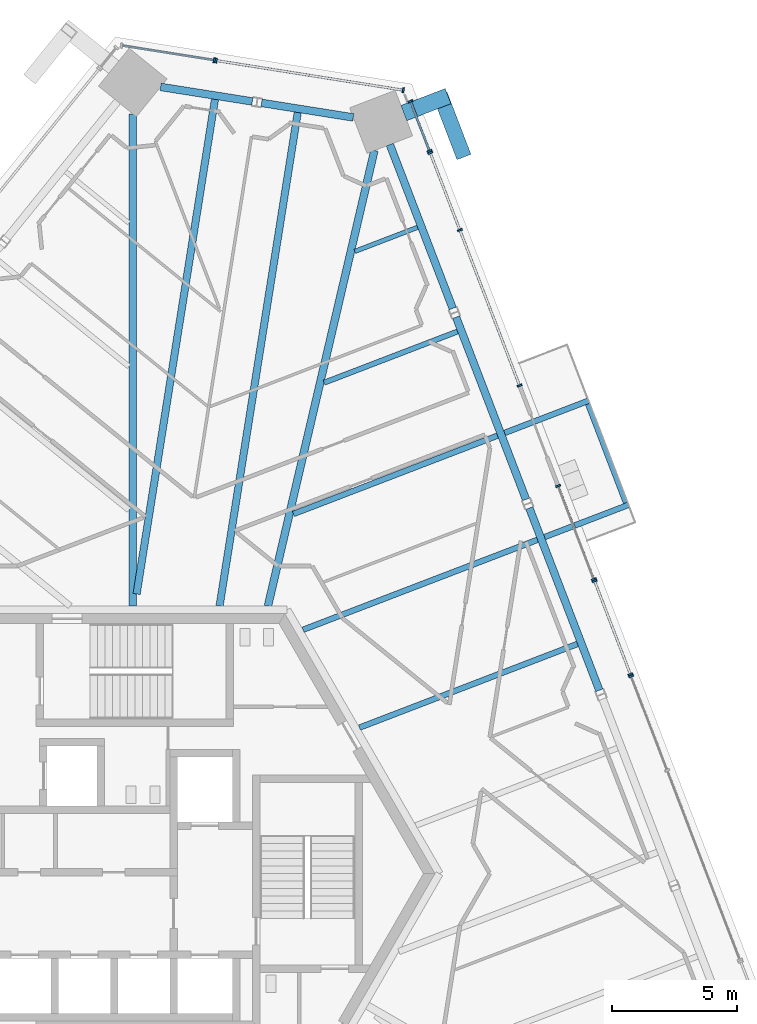
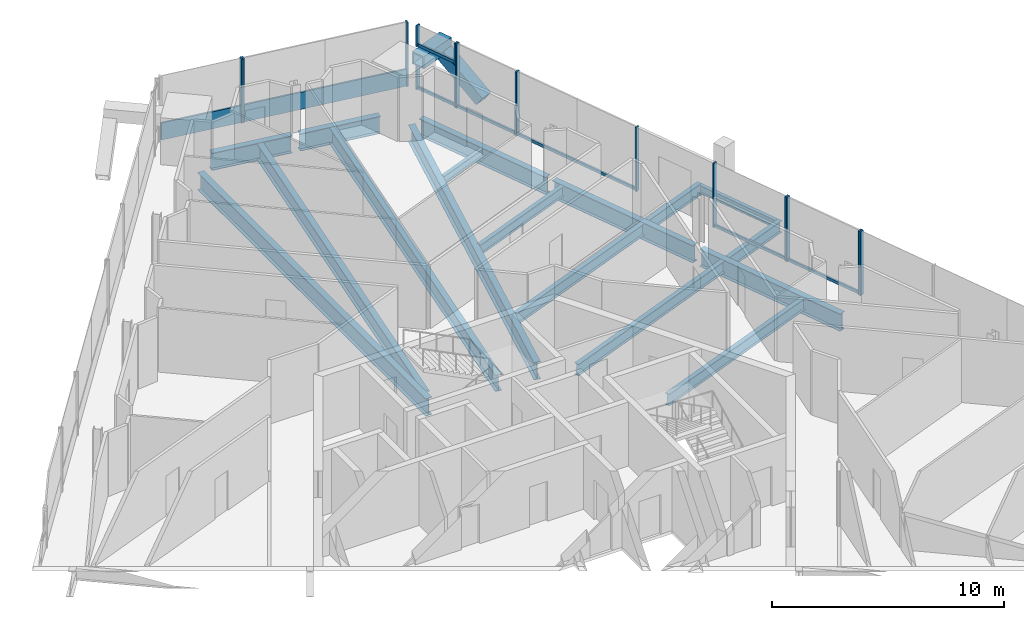
# One storey, part 9 of 23: 25 members, 17 beams, 8 elements without a shape of their own.
"""IFC4 building model written with IfcOpenShell, lengths in metres."""

from ifc_helpers import new_model, si_unit, direction, frame, origin, origin_2d, place, context, subcontext, project, spatial, rectangle, hollow_rectangle, i_section, extrude, source, transform, mapped, material, material_profile, profile_set, type_object, element, aggregate, save


model = new_model("IFC4")

# Units and contexts
model_context = context("Model", 3, precision=1e-05, world=origin(), true_north=direction((0.0, 1.0)))
body_context = subcontext(model_context, "Body", "Model", "MODEL_VIEW")
ifc_project = project(units=[si_unit("LENGTHUNIT", "METRE"), si_unit("AREAUNIT", "SQUARE_METRE"), si_unit("VOLUMEUNIT", "CUBIC_METRE"), si_unit("PLANEANGLEUNIT", "RADIAN"), si_unit("MASSUNIT", "GRAM", prefix="KILO")], contexts=[model_context])

# Site, building, storey
site_placement = place(None, origin())
site = spatial("IfcSite", under=ifc_project, at=site_placement, CompositionType="ELEMENT")
building_placement = place(site_placement, origin())
building = spatial("IfcBuilding", under=site, at=building_placement, Name="Triune Harvest Tower", CompositionType="ELEMENT")
storey_placement = place(building_placement, frame((0.0, 0.0, 171.300048828125)))
storey = spatial("IfcBuildingStorey", under=building, at=storey_placement, Name="L44", CompositionType="ELEMENT", Elevation=171.300048828125)

# Curtain wall, member
ifc_material_1 = material(Name="Aluminium bronze anodised", Category="aluminium")
curtain_wall_type_1 = type_object("IfcCurtainWallType", Name="CW-7 Tower stick curtain wall with insulated spandrel infill", PredefinedType="NOTDEFINED", material=ifc_material_1)
curtain_wall_1_placement = place(storey_placement, origin())
curtain_wall_1 = element("IfcCurtainWall", 1, at=curtain_wall_1_placement, inside=storey, type_object=curtain_wall_type_1, Name="CW-7 B4-F2 L44 run 1")
ifc_material_2 = material(Name="Aluminium bronze anodised", Category="aluminium")
ifc_material_profile_1 = material_profile(ifc_material_2, rectangle(XDim=0.090087890625, YDim=0.89990234375, at=origin_2d()), Name="TR-1 transom 90 x 900")
ifc_profile_set_1 = profile_set([ifc_material_profile_1], Name="Aluminium bronze anodised")
member_type_1 = type_object("IfcMemberType", Name="TR-1 transom 90 x 900", PredefinedType="USERDEFINED", material=ifc_profile_set_1)
member_1_placement = place(storey_placement, frame((10.693115234375, 31.32177734375, 0.449951171875), z_axis=(-0.987688678374, 0.156432332375, 0.0), x_axis=(-0.156432332375, -0.987688678374, 0.0)))
member_1 = element("IfcMember", 2, at=member_1_placement, type_object=member_type_1, Name="CW-7 transom B4-F2 1.1", ObjectType="TRANSOM", PredefinedType="USERDEFINED", context=body_context, shape_type="SweptSolid", body=[
    extrude(rectangle(XDim=0.090087890625, YDim=0.89990234375, at=origin_2d()), origin(), (0.0, 0.0, 1.0), 7.4990234375),
])

ifc_material_3 = material(Name="Aluminium bronze anodised", Category="aluminium")
curtain_wall_type_2 = type_object("IfcCurtainWallType", Name="CW-10 Balcony window wall with insulated spandrel infill", PredefinedType="NOTDEFINED", material=ifc_material_3)
curtain_wall_2_placement = place(storey_placement, origin())
curtain_wall_2 = element("IfcCurtainWall", 3, at=curtain_wall_2_placement, inside=storey, type_object=curtain_wall_type_2, Name="CW-10 B4-F1 L44 run 2201")
ifc_material_4 = material(Name="Aluminium bronze anodised", Category="aluminium")
ifc_material_profile_2 = material_profile(ifc_material_4, rectangle(XDim=0.090087890625, YDim=0.14990234375, at=origin_2d()), Name="TR-6 transom 90 x 150")
ifc_profile_set_2 = profile_set([ifc_material_profile_2], Name="Aluminium bronze anodised")
member_type_2 = type_object("IfcMemberType", Name="TR-6 transom 90 x 150", PredefinedType="USERDEFINED", material=ifc_profile_set_2)
member_2_placement = place(storey_placement, frame((19.79931640625, 7.99853515625, 0.074951171875), z_axis=(-0.358370090856, 0.933579604522, 0.0), x_axis=(-0.933579604522, -0.358370090856, 0.0)))
member_2 = element("IfcMember", 4, at=member_2_placement, type_object=member_type_2, Name="CW-10 transom B4-F1 2201.1", ObjectType="TRANSOM", PredefinedType="USERDEFINED", context=body_context, shape_type="SweptSolid", body=[
    extrude(rectangle(XDim=0.090087890625, YDim=0.14990234375, at=origin_2d()), origin(), (0.0, 0.0, 1.0), 3.922607421875),
])

ifc_material_5 = material(Name="Aluminium bronze anodised", Category="aluminium")
curtain_wall_type_3 = type_object("IfcCurtainWallType", Name="CW-6 Balcony window wall", PredefinedType="NOTDEFINED", material=ifc_material_5)
curtain_wall_3_placement = place(storey_placement, origin())
curtain_wall_3 = element("IfcCurtainWall", 5, at=curtain_wall_3_placement, inside=storey, type_object=curtain_wall_type_3, Name="CW-6 B4-F1 L44 run 3201")
member_3_placement = place(storey_placement, frame((18.33984375, 11.800537109375, 0.074951171875), z_axis=(-0.358349268981, 0.93358759708, 0.0), x_axis=(-0.93358759708, -0.358349268981, 0.0)))
member_3 = element("IfcMember", 6, at=member_3_placement, type_object=member_type_2, Name="CW-6 transom B4-F1 3201.1", ObjectType="TRANSOM", PredefinedType="USERDEFINED", context=body_context, shape_type="SweptSolid", body=[
    extrude(rectangle(XDim=0.090087890625, YDim=0.14990234375, at=origin_2d()), origin(), (0.0, 0.0, 1.0), 3.9228515625),
])

curtain_wall_4_placement = place(storey_placement, origin())
curtain_wall_4 = element("IfcCurtainWall", 7, at=curtain_wall_4_placement, inside=storey, type_object=curtain_wall_type_2, Name="CW-10 B4-F1 L44 run 2")
member_4_placement = place(storey_placement, frame((12.981689453125, 25.7587890625, 0.074951171875), z_axis=(-0.358341761728, 0.933590478637, 0.0), x_axis=(-0.933590478637, -0.358341761728, 0.0)))
member_4 = element("IfcMember", 8, at=member_4_placement, type_object=member_type_2, Name="CW-10 transom B4-F1 2.2", ObjectType="TRANSOM", PredefinedType="USERDEFINED", context=body_context, shape_type="SweptSolid", body=[
    extrude(rectangle(XDim=0.090087890625, YDim=0.14990234375, at=origin_2d()), origin(), (0.0, 0.0, 1.0), 3.23486328125),
])

# Beams
ifc_material_6 = material(Name="Steel ASTM A992 Gr 50", Category="steel")
ifc_material_profile_3 = material_profile(ifc_material_6, i_section(OverallWidth=0.3046875, OverallDepth=0.914306640625, WebThickness=0.0166015625, FlangeThickness=0.02587890625, at=origin_2d()), Name="W36x160")
ifc_profile_set_3 = profile_set([ifc_material_profile_3], Name="Steel ASTM A992 Gr 50")
beam_type_1 = type_object("IfcBeamType", Name="SB-1 Spandrel beam W36x160", PredefinedType="SPANDREL", material=ifc_profile_set_3)
shared_shape_1 = source(origin(), body_context, "Body", "SweptSolid", [
    extrude(i_section(OverallWidth=0.3046875, OverallDepth=0.914306640625, WebThickness=0.0166015625, FlangeThickness=0.02587890625, at=origin_2d()), origin(), (0.0, 0.0, 1.0), 7.013427734375),
])
beam_1_placement = place(storey_placement, frame((12.709716796875, 22.592041015625, -0.6171875), z_axis=(-0.358372513984, 0.93357867436, 0.0), x_axis=(-0.93357867436, -0.358372513984, 0.0)))
element("IfcBeam", 9, at=beam_1_placement, inside=storey, type_object=beam_type_1, Name="beam/L44/SB6", PredefinedType="SPANDREL", context=body_context, shape_type="MappedRepresentation", body=[
    mapped(shared_shape_1, transform((0.0, 0.0, 0.0), scale=1.0)),
])
shared_shape_2 = source(origin(), body_context, "Body", "SweptSolid", [
    extrude(i_section(OverallWidth=0.3046875, OverallDepth=0.914306640625, WebThickness=0.0166015625, FlangeThickness=0.02587890625, at=origin_2d()), origin(), (0.0, 0.0, 1.0), 7.8017578125),
])
for number, where, z_axis, x_axis, name in (
    (10, (18.569091796875, 7.327880859375, -0.6171875), (-0.358372974677, 0.933578497514, 0.0), (-0.933578497514, -0.358372974677, 0.0), "beam/L44/SB4"),
    (11, (15.639404296875, 14.9599609375, -0.6171875), (-0.358372974677, 0.933578497514, 0.0), (-0.933578497514, -0.358372974677, 0.0), "beam/L44/SB5"),
):
    element("IfcBeam", number, at=place(storey_placement, frame(where, z_axis=z_axis, x_axis=x_axis)), inside=storey, type_object=beam_type_1, Name=name, PredefinedType="SPANDREL", context=body_context, shape_type="MappedRepresentation", body=[
        mapped(shared_shape_2, transform((0.0, 0.0, 0.0), scale=1.0)),
    ])
shared_shape_3 = source(origin(), body_context, "Body", "SweptSolid", [
    extrude(i_section(OverallWidth=0.3046875, OverallDepth=0.914306640625, WebThickness=0.0166015625, FlangeThickness=0.02587890625, at=origin_2d()), origin(), (0.0, 0.0, 1.0), 3.71240234375),
])
for number, where, z_axis, x_axis, name in (
    (12, (8.735107421875, 30.225830078125, -0.6171875), (-0.987686063537, 0.156448841145, 0.0), (-0.156448841145, -0.987686063537, 0.0), "beam/L44/SB7"),
    (13, (4.699462890625, 30.864990234375, -0.6171875), (-0.987686063537, 0.156448841145, 0.0), (-0.156448841145, -0.987686063537, 0.0), "beam/L44/SB8"),
):
    element("IfcBeam", number, at=place(storey_placement, frame(where, z_axis=z_axis, x_axis=x_axis)), inside=storey, type_object=beam_type_1, Name=name, PredefinedType="SPANDREL", context=body_context, shape_type="MappedRepresentation", body=[
        mapped(shared_shape_3, transform((0.0, 0.0, 0.0), scale=1.0)),
    ])
ifc_material_7 = material(Name="Steel ASTM A992 Gr 50", Category="steel")
ifc_material_profile_4 = material_profile(ifc_material_7, i_section(OverallWidth=0.307373046875, OverallDepth=0.922119140625, WebThickness=0.018310546875, FlangeThickness=0.030029296875, at=origin_2d()), Name="W36x182")
ifc_profile_set_4 = profile_set([ifc_material_profile_4], Name="Steel ASTM A992 Gr 50")
beam_type_2 = type_object("IfcBeamType", Name="HG-2 Hip girder W36x182", PredefinedType="BEAM", material=ifc_profile_set_4)
shared_shape_4 = source(origin(), body_context, "Body", "SweptSolid", [
    extrude(i_section(OverallWidth=0.307373046875, OverallDepth=0.922119140625, WebThickness=0.018310546875, FlangeThickness=0.030029296875, at=origin_2d()), origin(), (0.0, 0.0, 1.0), 18.6962890625),
])
beam_2_placement = place(storey_placement, frame((9.578857421875, 28.902587890625, -0.62109375), z_axis=(-0.227605246905, -0.973753486043, 0.0), x_axis=(0.973753486043, -0.227605246905, 0.0)))
element("IfcBeam", 14, at=beam_2_placement, inside=storey, type_object=beam_type_2, Name="beam/L44/HG3", PredefinedType="BEAM", context=body_context, shape_type="MappedRepresentation", body=[
    mapped(shared_shape_4, transform((0.0, 0.0, 0.0), scale=1.0)),
])
shared_shape_5 = source(origin(), body_context, "Body", "SweptSolid", [
    extrude(i_section(OverallWidth=0.307373046875, OverallDepth=0.922119140625, WebThickness=0.018310546875, FlangeThickness=0.030029296875, at=origin_2d()), origin(), (0.0, 0.0, 1.0), 19.670166015625),
])
beam_3_placement = place(storey_placement, frame((-0.0791015625, 30.3671875, -0.62109375), z_axis=(0.0, -1.0, 0.0), x_axis=(1.0, 0.0, 0.0)))
element("IfcBeam", 15, at=beam_3_placement, inside=storey, type_object=beam_type_2, Name="beam/L44/HG4", PredefinedType="BEAM", context=body_context, shape_type="MappedRepresentation", body=[
    mapped(shared_shape_5, transform((0.0, 0.0, 0.0), scale=1.0)),
])
ifc_material_8 = material(Name="Steel ASTM A992 Gr 50", Category="steel")
ifc_material_profile_5 = material_profile(ifc_material_8, i_section(OverallWidth=0.22900390625, OverallDepth=0.612060546875, WebThickness=0.011962890625, FlangeThickness=0.01953125, at=origin_2d()), Name="W24x84")
ifc_profile_set_5 = profile_set([ifc_material_profile_5], Name="Steel ASTM A992 Gr 50")
beam_type_3 = type_object("IfcBeamType", Name="JT-3 Floor joist W24x84", PredefinedType="JOIST", material=ifc_profile_set_5)
shared_shape_6 = source(origin(), body_context, "Body", "SweptSolid", [
    extrude(i_section(OverallWidth=0.22900390625, OverallDepth=0.612060546875, WebThickness=0.011962890625, FlangeThickness=0.01953125, at=origin_2d()), origin(), (0.0, 0.0, 1.0), 9.33203125),
])
beam_4_placement = place(storey_placement, frame((17.694580078125, 9.180419921875, -0.466064453125), z_axis=(-0.933582072806, -0.358363660734, 0.0), x_axis=(0.358363660734, -0.933582072806, 0.0)))
element("IfcBeam", 16, at=beam_4_placement, inside=storey, type_object=beam_type_3, Name="beam/L44/JT6", PredefinedType="JOIST", context=body_context, shape_type="MappedRepresentation", body=[
    mapped(shared_shape_6, transform((0.0, 0.0, 0.0), scale=1.0)),
])
shared_shape_7 = source(origin(), body_context, "Body", "SweptSolid", [
    extrude(i_section(OverallWidth=0.22900390625, OverallDepth=0.612060546875, WebThickness=0.011962890625, FlangeThickness=0.01953125, at=origin_2d()), origin(), (0.0, 0.0, 1.0), 10.038330078125),
])
beam_5_placement = place(storey_placement, frame((16.0966796875, 13.343505859375, -0.466064453125), z_axis=(-0.933580465952, -0.358367846762, 0.0), x_axis=(0.358367846762, -0.933580465952, 0.0)))
element("IfcBeam", 17, at=beam_5_placement, inside=storey, type_object=beam_type_3, Name="beam/L44/JT7", PredefinedType="JOIST", context=body_context, shape_type="MappedRepresentation", body=[
    mapped(shared_shape_7, transform((0.0, 0.0, 0.0), scale=1.0)),
])
shared_shape_8 = source(origin(), body_context, "Body", "SweptSolid", [
    extrude(i_section(OverallWidth=0.22900390625, OverallDepth=0.612060546875, WebThickness=0.011962890625, FlangeThickness=0.01953125, at=origin_2d()), origin(), (0.0, 0.0, 1.0), 8.738037109375),
])
beam_6_placement = place(storey_placement, frame((14.498779296875, 17.50634765625, -0.466064453125), z_axis=(-0.933584472757, -0.358357408499, 0.0), x_axis=(0.358357408499, -0.933584472757, 0.0)))
element("IfcBeam", 18, at=beam_6_placement, inside=storey, type_object=beam_type_3, Name="beam/L44/JT8", PredefinedType="JOIST", context=body_context, shape_type="MappedRepresentation", body=[
    mapped(shared_shape_8, transform((0.0, 0.0, 0.0), scale=1.0)),
])
ifc_material_9 = material(Name="Steel ASTM A992 Gr 50", Category="steel")
ifc_material_profile_6 = material_profile(ifc_material_9, i_section(OverallWidth=0.2099609375, OverallDepth=0.535888671875, WebThickness=0.010986328125, FlangeThickness=0.017333984375, at=origin_2d()), Name="W21x68")
ifc_profile_set_6 = profile_set([ifc_material_profile_6], Name="Steel ASTM A992 Gr 50")
beam_type_4 = type_object("IfcBeamType", Name="JT-2 Floor joist W21x68", PredefinedType="JOIST", material=ifc_profile_set_6)
shared_shape_9 = source(origin(), body_context, "Body", "SweptSolid", [
    extrude(i_section(OverallWidth=0.2099609375, OverallDepth=0.535888671875, WebThickness=0.010986328125, FlangeThickness=0.017333984375, at=origin_2d()), origin(), (0.0, 0.0, 1.0), 5.712890625),
])
beam_7_placement = place(storey_placement, frame((12.90087890625, 21.669189453125, -0.427978515625), z_axis=(-0.933593203906, -0.358334661483, 0.0), x_axis=(0.358334661483, -0.933593203906, 0.0)))
element("IfcBeam", 19, at=beam_7_placement, inside=storey, type_object=beam_type_4, Name="beam/L44/JT9", PredefinedType="JOIST", context=body_context, shape_type="MappedRepresentation", body=[
    mapped(shared_shape_9, transform((0.0, 0.0, 0.0), scale=1.0)),
])
ifc_material_10 = material(Name="Steel ASTM A992 Gr 50", Category="steel")
ifc_material_profile_7 = material_profile(ifc_material_10, i_section(OverallWidth=0.180908203125, OverallDepth=0.41650390625, WebThickness=0.010986328125, FlangeThickness=0.01806640625, at=origin_2d()), Name="W16x57")
ifc_profile_set_7 = profile_set([ifc_material_profile_7], Name="Steel ASTM A992 Gr 50")
beam_type_5 = type_object("IfcBeamType", Name="JT-1 Floor joist W16x57", PredefinedType="JOIST", material=ifc_profile_set_7)
shared_shape_10 = source(origin(), body_context, "Body", "SweptSolid", [
    extrude(i_section(OverallWidth=0.180908203125, OverallDepth=0.41650390625, WebThickness=0.010986328125, FlangeThickness=0.01806640625, at=origin_2d()), origin(), (0.0, 0.0, 1.0), 2.687255859375),
])
beam_8_placement = place(storey_placement, frame((11.302734375, 25.832275390625, -0.368408203125), z_axis=(-0.933567867424, -0.358400665336, 0.0), x_axis=(0.358400665336, -0.933567867424, 0.0)))
element("IfcBeam", 20, at=beam_8_placement, inside=storey, type_object=beam_type_5, Name="beam/L44/JT10", PredefinedType="JOIST", context=body_context, shape_type="MappedRepresentation", body=[
    mapped(shared_shape_10, transform((0.0, 0.0, 0.0), scale=1.0)),
])
ifc_material_11 = material(Name="Steel ASTM A992 Gr 50", Category="steel")
ifc_material_profile_8 = material_profile(ifc_material_11, i_section(OverallWidth=0.2919921875, OverallDepth=0.8583984375, WebThickness=0.01708984375, FlangeThickness=0.031005859375, at=origin_2d()), Name="W33x169")
ifc_profile_set_8 = profile_set([ifc_material_profile_8], Name="Steel ASTM A992 Gr 50")
beam_type_6 = type_object("IfcBeamType", Name="JT-7 Floor joist W33x169", PredefinedType="JOIST", material=ifc_profile_set_8)
shared_shape_11 = source(origin(), body_context, "Body", "SweptSolid", [
    extrude(i_section(OverallWidth=0.2919921875, OverallDepth=0.8583984375, WebThickness=0.01708984375, FlangeThickness=0.031005859375, at=origin_2d()), origin(), (0.0, 0.0, 1.0), 19.97216796875),
])
beam_9_placement = place(storey_placement, frame((6.514404296875, 30.42333984375, -0.58935546875), z_axis=(-0.15643083518, -0.987688915502, 0.0), x_axis=(0.987688915502, -0.15643083518, 0.0)))
element("IfcBeam", 21, at=beam_9_placement, inside=storey, type_object=beam_type_6, Name="beam/L44/JT11", PredefinedType="JOIST", context=body_context, shape_type="MappedRepresentation", body=[
    mapped(shared_shape_11, transform((0.0, 0.0, 0.0), scale=1.0)),
])
shared_shape_12 = source(origin(), body_context, "Body", "SweptSolid", [
    extrude(i_section(OverallWidth=0.2919921875, OverallDepth=0.8583984375, WebThickness=0.01708984375, FlangeThickness=0.031005859375, at=origin_2d()), origin(), (0.0, 0.0, 1.0), 20.016845703125),
])
beam_10_placement = place(storey_placement, frame((3.205810546875, 30.947509765625, -0.58935546875), z_axis=(-0.156434798458, -0.987688287787, 0.0), x_axis=(0.987688287787, -0.156434798458, 0.0)))
element("IfcBeam", 22, at=beam_10_placement, inside=storey, type_object=beam_type_6, Name="beam/L44/JT12", PredefinedType="JOIST", context=body_context, shape_type="MappedRepresentation", body=[
    mapped(shared_shape_12, transform((0.0, 0.0, 0.0), scale=1.0)),
])

# Members
ifc_material_12 = material(Name="Steel ASTM A572 Gr 50", Category="steel")
ifc_material_profile_9 = material_profile(ifc_material_12, hollow_rectangle(XDim=0.64990234375, YDim=0.64990234375, WallThickness=0.070068359375, at=origin_2d()), Name="Box 650x650x70")
ifc_profile_set_9 = profile_set([ifc_material_profile_9], Name="Steel ASTM A572 Gr 50")
member_type_3 = type_object("IfcMemberType", Name="BS-1 Brace stub Box 650x650x70", PredefinedType="STRUT", material=ifc_profile_set_9)
shared_shape_13 = source(origin(), body_context, "Body", "SweptSolid", [
    extrude(hollow_rectangle(XDim=0.64990234375, YDim=0.64990234375, WallThickness=0.070068359375, at=origin_2d()), origin(), (0.0, 0.0, 1.0), 1.893798828125),
])
member_5_placement = place(storey_placement, frame((10.757080078125, 30.399169921875, 1.875), z_axis=(0.933577982841, 0.358374315423, 0.0), x_axis=(-0.358374315423, 0.933577982841, 0.0)))
element("IfcMember", 23, at=member_5_placement, inside=storey, type_object=member_type_3, Name="brace/B4-F1/stub2", PredefinedType="STRUT", context=body_context, shape_type="MappedRepresentation", body=[
    mapped(shared_shape_13, transform((0.0, 0.0, 0.0), scale=1.0)),
])
ifc_material_13 = material(Name="Steel ASTM A572 Gr 50", Category="steel")
ifc_material_profile_10 = material_profile(ifc_material_13, hollow_rectangle(XDim=0.60009765625, YDim=0.60009765625, WallThickness=0.0400390625, at=origin_2d()), Name="Box 600x600x40")
ifc_profile_set_10 = profile_set([ifc_material_profile_10], Name="Steel ASTM A572 Gr 50")
member_type_4 = type_object("IfcMemberType", Name="BR-2 Brace Box 600x600x40", PredefinedType="BRACE", material=ifc_profile_set_10)
shared_shape_14 = source(origin(), body_context, "Body", "SweptSolid", [
    extrude(hollow_rectangle(XDim=0.60009765625, YDim=0.60009765625, WallThickness=0.0400390625, at=origin_2d()), origin(), (0.0, 0.0, 1.0), 2.832763671875),
])
member_6_placement = place(storey_placement, frame((13.0986328125, 28.80224609375, 0.0), z_axis=(-0.294656361449, 0.76788188959, 0.568801399697), x_axis=(-0.93362348913, -0.3582557474, 0.0)))
element("IfcMember", 24, at=member_6_placement, inside=storey, type_object=member_type_4, Name="brace/B4-F1/d1/10", PredefinedType="BRACE", context=body_context, shape_type="MappedRepresentation", body=[
    mapped(shared_shape_14, transform((0.0, 0.0, 0.0), scale=1.0)),
])

# Curtain wall, members
curtain_wall_5_placement = place(storey_placement, origin())
curtain_wall_5 = element("IfcCurtainWall", 25, at=curtain_wall_5_placement, inside=storey, type_object=curtain_wall_type_3, Name="CW-6 B4-F1 L44 run 202")
ifc_material_14 = material(Name="Aluminium bronze anodised", Category="aluminium")
ifc_material_profile_11 = material_profile(ifc_material_14, rectangle(XDim=0.199951171875, YDim=0.074951171875, at=origin_2d()), Name="MU-6 mullion 75 x 200")
ifc_profile_set_11 = profile_set([ifc_material_profile_11], Name="Aluminium bronze anodised")
member_type_5 = type_object("IfcMemberType", Name="MU-6 mullion 75 x 200", PredefinedType="MULLION", material=ifc_profile_set_11)
shared_shape_15 = source(origin(), body_context, "Body", "SweptSolid", [
    extrude(rectangle(XDim=0.199951171875, YDim=0.074951171875, at=origin_2d()), origin(), (0.0, 0.0, 1.0), 1.114990234375),
])
member_7_placement = place(storey_placement, frame((11.7822265625, 28.8837890625, 2.260009765625), z_axis=(0.0, 0.0, 1.0), x_axis=(-0.933575715476, -0.358380221934, 0.0)))
member_7 = element("IfcMember", 26, at=member_7_placement, type_object=member_type_5, Name="CW-6 mullion B4-F1 202.1", PredefinedType="MULLION", context=body_context, shape_type="MappedRepresentation", body=[
    mapped(shared_shape_15, transform((0.0, 0.0, 0.0), scale=1.0)),
])
member_8_placement = place(storey_placement, frame((11.01904296875, 30.8720703125, 2.260009765625), z_axis=(0.0, 0.0, 1.0), x_axis=(-0.933575715476, -0.358380221934, 0.0)))
member_8 = element("IfcMember", 27, at=member_8_placement, type_object=member_type_5, Name="CW-6 mullion B4-F1 202.2", PredefinedType="MULLION", context=body_context, shape_type="MappedRepresentation", body=[
    mapped(shared_shape_15, transform((0.0, 0.0, 0.0), scale=1.0)),
])

# Beams
ifc_material_15 = material(Name="Steel ASTM A992 Gr 50", Category="steel")
ifc_material_profile_12 = material_profile(ifc_material_15, i_section(OverallWidth=0.22900390625, OverallDepth=0.612060546875, WebThickness=0.011962890625, FlangeThickness=0.01953125, at=origin_2d()), Name="W24x84")
ifc_profile_set_12 = profile_set([ifc_material_profile_12], Name="Steel ASTM A992 Gr 50")
beam_type_7 = type_object("IfcBeamType", Name="BJ-3 Balcony cantilever joist W24x84", PredefinedType="JOIST", material=ifc_profile_set_12)
shared_shape_16 = source(origin(), body_context, "Body", "SweptSolid", [
    extrude(i_section(OverallWidth=0.22900390625, OverallDepth=0.612060546875, WebThickness=0.011962890625, FlangeThickness=0.01953125, at=origin_2d()), origin(), (0.0, 0.0, 1.0), 3.597900390625),
])
for number, where, z_axis, x_axis, name in (
    (28, (14.783203125, 17.615478515625, -0.466064453125), (0.93358499863, 0.358356038506, 0.0), (-0.358356038506, 0.93358499863, 0.0), "Balcony cantilever joist B4-F1 L44.9a"),
    (29, (16.381103515625, 13.45263671875, -0.466064453125), (0.93358499863, 0.358356038506, 0.0), (-0.358356038506, 0.93358499863, 0.0), "Balcony cantilever joist B4-F1 L44.9b"),
):
    element("IfcBeam", number, at=place(storey_placement, frame(where, z_axis=z_axis, x_axis=x_axis)), inside=storey, type_object=beam_type_7, Name=name, PredefinedType="JOIST", context=body_context, shape_type="MappedRepresentation", body=[
        mapped(shared_shape_16, transform((0.0, 0.0, 0.0), scale=1.0)),
    ])
ifc_material_16 = material(Name="Steel ASTM A992 Gr 50", Category="steel")
ifc_material_profile_13 = material_profile(ifc_material_16, i_section(OverallWidth=0.180908203125, OverallDepth=0.41650390625, WebThickness=0.010986328125, FlangeThickness=0.01806640625, at=origin_2d()), Name="W16x57")
ifc_profile_set_13 = profile_set([ifc_material_profile_13], Name="Steel ASTM A992 Gr 50")
beam_type_8 = type_object("IfcBeamType", Name="BE-1 balcony edge beam W16x57", PredefinedType="BEAM", material=ifc_profile_set_13)
shared_shape_17 = source(origin(), body_context, "Body", "SweptSolid", [
    extrude(i_section(OverallWidth=0.180908203125, OverallDepth=0.41650390625, WebThickness=0.010986328125, FlangeThickness=0.01806640625, at=origin_2d()), origin(), (0.0, 0.0, 1.0), 4.230224609375),
])
beam_11_placement = place(storey_placement, frame((18.0986328125, 18.765625, -0.368408203125), z_axis=(0.358348601672, -0.93358785322, 0.0), x_axis=(0.93358785322, 0.358348601672, 0.0)))
element("IfcBeam", 30, at=beam_11_placement, inside=storey, type_object=beam_type_8, Name="Balcony edge beam B4-F1 L44.9", PredefinedType="BEAM", context=body_context, shape_type="MappedRepresentation", body=[
    mapped(shared_shape_17, transform((0.0, 0.0, 0.0), scale=1.0)),
])

# Curtain wall, members
curtain_wall_6_placement = place(storey_placement, origin())
curtain_wall_6 = element("IfcCurtainWall", 31, at=curtain_wall_6_placement, inside=storey, type_object=curtain_wall_type_2, Name="CW-10 B4-F1 L44 run 102")
shared_shape_18 = source(origin(), body_context, "Body", "SweptSolid", [
    extrude(rectangle(XDim=0.199951171875, YDim=0.074951171875, at=origin_2d()), origin(), (0.0, 0.0, 1.0), 1.489990234375),
])
member_9_placement = place(storey_placement, frame((11.7822265625, 28.8837890625, 0.0), z_axis=(0.0, 0.0, 1.0), x_axis=(-0.933575715476, -0.358380221934, 0.0)))
member_9 = element("IfcMember", 32, at=member_9_placement, type_object=member_type_5, Name="CW-10 mullion B4-F1 102.1", PredefinedType="MULLION", context=body_context, shape_type="MappedRepresentation", body=[
    mapped(shared_shape_18, transform((0.0, 0.0, 0.0), scale=1.0)),
])
member_10_placement = place(storey_placement, frame((11.01904296875, 30.8720703125, 0.0), z_axis=(0.0, 0.0, 1.0), x_axis=(-0.933575715476, -0.358380221934, 0.0)))
member_10 = element("IfcMember", 33, at=member_10_placement, type_object=member_type_5, Name="CW-10 mullion B4-F1 102.2", PredefinedType="MULLION", context=body_context, shape_type="MappedRepresentation", body=[
    mapped(shared_shape_18, transform((0.0, 0.0, 0.0), scale=1.0)),
])

# Curtain wall, member
curtain_wall_7_placement = place(storey_placement, origin())
curtain_wall_7 = element("IfcCurtainWall", 34, at=curtain_wall_7_placement, inside=storey, type_object=curtain_wall_type_3, Name="CW-6 B4-F1 L44 run 1201")
shared_shape_19 = source(origin(), body_context, "Body", "SweptSolid", [
    extrude(rectangle(XDim=0.199951171875, YDim=0.074951171875, at=origin_2d()), origin(), (0.0, 0.0, 1.0), 3.375),
])
member_11_placement = place(storey_placement, frame((19.839599609375, 7.893310546875, 0.0), z_axis=(0.0, 0.0, 1.0), x_axis=(-0.933579338732, -0.358370783259, 0.0)))
member_11 = element("IfcMember", 35, at=member_11_placement, type_object=member_type_5, Name="CW-6 mullion B4-F1 1201.4", PredefinedType="MULLION", context=body_context, shape_type="MappedRepresentation", body=[
    mapped(shared_shape_19, transform((0.0, 0.0, 0.0), scale=1.0)),
])
aggregate(curtain_wall_7, [member_11])

# Member
member_12_placement = place(storey_placement, frame((19.812744140625, 7.96337890625, 0.0), z_axis=(0.0, 0.0, 1.0), x_axis=(-0.933582712997, -0.358361992954, 0.0)))
member_12 = element("IfcMember", 36, at=member_12_placement, type_object=member_type_5, Name="CW-10 mullion B4-F1 2201.1", PredefinedType="MULLION", context=body_context, shape_type="MappedRepresentation", body=[
    mapped(shared_shape_19, transform((0.0, 0.0, 0.0), scale=1.0)),
])

member_13_placement = place(storey_placement, frame((18.380126953125, 11.695556640625, 0.0), z_axis=(0.0, 0.0, 1.0), x_axis=(-0.933582712997, -0.358361992954, 0.0)))
member_13 = element("IfcMember", 37, at=member_13_placement, type_object=member_type_5, Name="CW-10 mullion B4-F1 2201.2", PredefinedType="MULLION", context=body_context, shape_type="MappedRepresentation", body=[
    mapped(shared_shape_19, transform((0.0, 0.0, 0.0), scale=1.0)),
])

aggregate(curtain_wall_2, [member_12, member_13, member_2])

member_14_placement = place(storey_placement, frame((18.353271484375, 11.765625, 0.0), z_axis=(0.0, 0.0, 1.0), x_axis=(-0.933577651621, -0.35837517826, 0.0)))
member_14 = element("IfcMember", 38, at=member_14_placement, type_object=member_type_5, Name="CW-6 mullion B4-F1 3201.1", PredefinedType="MULLION", context=body_context, shape_type="MappedRepresentation", body=[
    mapped(shared_shape_19, transform((0.0, 0.0, 0.0), scale=1.0)),
])

member_15_placement = place(storey_placement, frame((16.920654296875, 15.497802734375, 0.0), z_axis=(0.0, 0.0, 1.0), x_axis=(-0.933577651621, -0.35837517826, 0.0)))
member_15 = element("IfcMember", 39, at=member_15_placement, type_object=member_type_5, Name="CW-6 mullion B4-F1 3201.2", PredefinedType="MULLION", context=body_context, shape_type="MappedRepresentation", body=[
    mapped(shared_shape_19, transform((0.0, 0.0, 0.0), scale=1.0)),
])

aggregate(curtain_wall_3, [member_14, member_15, member_3])

member_16_placement = place(storey_placement, frame((15.380859375, 19.5087890625, 0.0), z_axis=(0.0, 0.0, 1.0), x_axis=(-0.933579217608, -0.358371098793, 0.0)))
member_16 = element("IfcMember", 40, at=member_16_placement, type_object=member_type_5, Name="CW-10 mullion B4-F1 2.1", PredefinedType="MULLION", context=body_context, shape_type="MappedRepresentation", body=[
    mapped(shared_shape_19, transform((0.0, 0.0, 0.0), scale=1.0)),
])

member_17_placement = place(storey_placement, frame((12.9951171875, 25.723876953125, 0.0), z_axis=(0.0, 0.0, 1.0), x_axis=(-0.933579217608, -0.358371098793, 0.0)))
member_17 = element("IfcMember", 41, at=member_17_placement, type_object=member_type_5, Name="CW-10 mullion B4-F1 2.3", PredefinedType="MULLION", context=body_context, shape_type="MappedRepresentation", body=[
    mapped(shared_shape_19, transform((0.0, 0.0, 0.0), scale=1.0)),
])

member_18_placement = place(storey_placement, frame((11.80908203125, 28.813720703125, 0.0), z_axis=(0.0, 0.0, 1.0), x_axis=(-0.933579217608, -0.358371098793, 0.0)))
member_18 = element("IfcMember", 42, at=member_18_placement, type_object=member_type_5, Name="CW-10 mullion B4-F1 2.4", PredefinedType="MULLION", context=body_context, shape_type="MappedRepresentation", body=[
    mapped(shared_shape_19, transform((0.0, 0.0, 0.0), scale=1.0)),
])

shared_shape_20 = source(origin(), body_context, "Body", "SweptSolid", [
    extrude(rectangle(XDim=0.090087890625, YDim=0.14990234375, at=origin_2d()), origin(), (0.0, 0.0, 1.0), 6.582275390625),
])
member_19_placement = place(storey_placement, frame((15.367431640625, 19.543701171875, 0.074951171875), z_axis=(-0.358372547735, 0.933578661405, 0.0), x_axis=(-0.933578661405, -0.358372547735, 0.0)))
member_19 = element("IfcMember", 43, at=member_19_placement, type_object=member_type_2, Name="CW-10 transom B4-F1 2.1", ObjectType="TRANSOM", PredefinedType="USERDEFINED", context=body_context, shape_type="MappedRepresentation", body=[
    mapped(shared_shape_20, transform((0.0, 0.0, 0.0), scale=1.0)),
])

aggregate(curtain_wall_4, [member_16, member_17, member_18, member_19, member_4])

shared_shape_21 = source(origin(), body_context, "Body", "SweptSolid", [
    extrude(rectangle(XDim=0.090087890625, YDim=0.14990234375, at=origin_2d()), origin(), (0.0, 0.0, 1.0), 2.0546875),
])
member_20_placement = place(storey_placement, frame((11.768798828125, 28.918701171875, 0.074951171875), z_axis=(-0.35836590697, 0.933581210566, 0.0), x_axis=(-0.933581210566, -0.35836590697, 0.0)))
member_20 = element("IfcMember", 44, at=member_20_placement, type_object=member_type_2, Name="CW-10 transom B4-F1 102.1", ObjectType="TRANSOM", PredefinedType="USERDEFINED", context=body_context, shape_type="MappedRepresentation", body=[
    mapped(shared_shape_21, transform((0.0, 0.0, 0.0), scale=1.0)),
])

aggregate(curtain_wall_6, [member_9, member_10, member_20])

member_21_placement = place(storey_placement, frame((11.768798828125, 28.918701171875, 2.3349609375), z_axis=(-0.35836590697, 0.933581210566, 0.0), x_axis=(-0.933581210566, -0.35836590697, 0.0)))
member_21 = element("IfcMember", 45, at=member_21_placement, type_object=member_type_2, Name="CW-6 transom B4-F1 202.1", ObjectType="TRANSOM", PredefinedType="USERDEFINED", context=body_context, shape_type="MappedRepresentation", body=[
    mapped(shared_shape_21, transform((0.0, 0.0, 0.0), scale=1.0)),
])

aggregate(curtain_wall_5, [member_7, member_8, member_21])

ifc_material_17 = material(Name="Aluminium bronze anodised", Category="aluminium")
ifc_material_profile_14 = material_profile(ifc_material_17, rectangle(XDim=0.199951171875, YDim=0.074951171875, at=origin_2d()), Name="MU-1 mullion 75 x 200")
ifc_profile_set_14 = profile_set([ifc_material_profile_14], Name="Aluminium bronze anodised")
member_type_6 = type_object("IfcMemberType", Name="MU-1 mullion 75 x 200", PredefinedType="MULLION", material=ifc_profile_set_14)
shared_shape_22 = source(origin(), body_context, "Body", "SweptSolid", [
    extrude(rectangle(XDim=0.199951171875, YDim=0.074951171875, at=origin_2d()), origin(), (0.0, 0.0, 1.0), 3.375),
])
member_22_placement = place(storey_placement, frame((10.730224609375, 31.31591796875, 0.0), z_axis=(0.0, 0.0, 1.0), x_axis=(-0.156426962792, -0.987689528805, 0.0)))
member_22 = element("IfcMember", 46, at=member_22_placement, type_object=member_type_6, Name="CW-7 mullion B4-F2 1.1", PredefinedType="MULLION", context=body_context, shape_type="MappedRepresentation", body=[
    mapped(shared_shape_22, transform((0.0, 0.0, 0.0), scale=1.0)),
])

member_23_placement = place(storey_placement, frame((3.24951171875, 32.500732421875, 0.0), z_axis=(0.0, 0.0, 1.0), x_axis=(-0.156426962792, -0.987689528805, 0.0)))
member_23 = element("IfcMember", 47, at=member_23_placement, type_object=member_type_6, Name="CW-7 mullion B4-F2 1.3", PredefinedType="MULLION", context=body_context, shape_type="MappedRepresentation", body=[
    mapped(shared_shape_22, transform((0.0, 0.0, 0.0), scale=1.0)),
])

aggregate(curtain_wall_1, [member_22, member_23, member_1])

# Curtain wall, members
ifc_material_18 = material(Name="Aluminium bronze anodised", Category="aluminium")
curtain_wall_type_4 = type_object("IfcCurtainWallType", Name="CW-1 Tower stick curtain wall", PredefinedType="NOTDEFINED", material=ifc_material_18)
curtain_wall_8_placement = place(storey_placement, origin())
curtain_wall_8 = element("IfcCurtainWall", 48, at=curtain_wall_8_placement, inside=storey, type_object=curtain_wall_type_4, Name="CW-1 B4-F2 L44 run 1001")
member_24_placement = place(storey_placement, frame((3.17529296875, 32.512451171875, 0.0), z_axis=(0.0, 0.0, 1.0), x_axis=(-0.156444259503, -0.987686789255, 0.0)))
member_24 = element("IfcMember", 49, at=member_24_placement, type_object=member_type_6, Name="CW-1 mullion B4-F2 1001.1", PredefinedType="MULLION", context=body_context, shape_type="MappedRepresentation", body=[
    mapped(shared_shape_22, transform((0.0, 0.0, 0.0), scale=1.0)),
])
shared_shape_23 = source(origin(), body_context, "Body", "SweptSolid", [
    extrude(rectangle(XDim=0.090087890625, YDim=0.89990234375, at=origin_2d()), origin(), (0.0, 0.0, 1.0), 3.674560546875),
])
member_25_placement = place(storey_placement, frame((3.138427734375, 32.518310546875, 0.449951171875), z_axis=(-0.987683649783, 0.156464078786, 0.0), x_axis=(-0.156464078786, -0.987683649783, 0.0)))
member_25 = element("IfcMember", 50, at=member_25_placement, type_object=member_type_1, Name="CW-1 transom B4-F2 1001.1", ObjectType="TRANSOM", PredefinedType="USERDEFINED", context=body_context, shape_type="MappedRepresentation", body=[
    mapped(shared_shape_23, transform((0.0, 0.0, 0.0), scale=1.0)),
])
aggregate(curtain_wall_8, [member_24, member_25])

save(model, "model.ifc")
